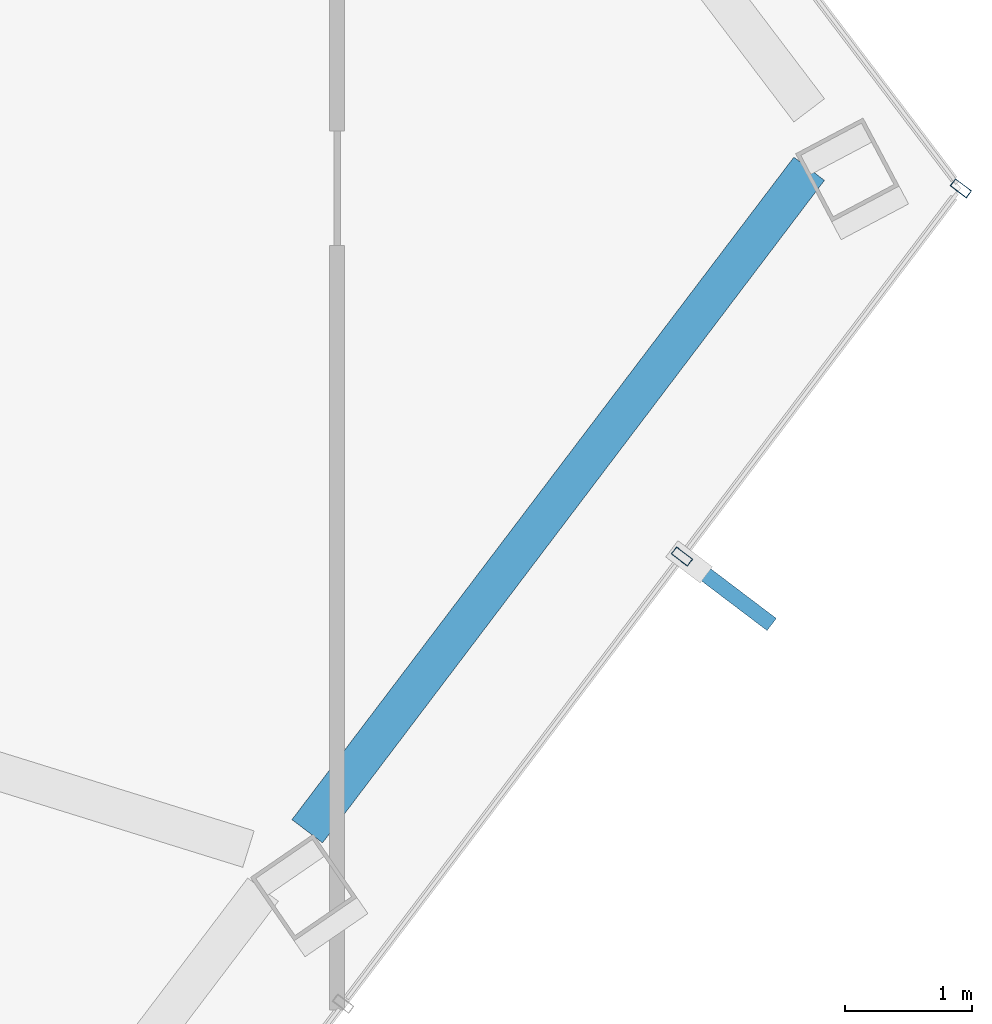
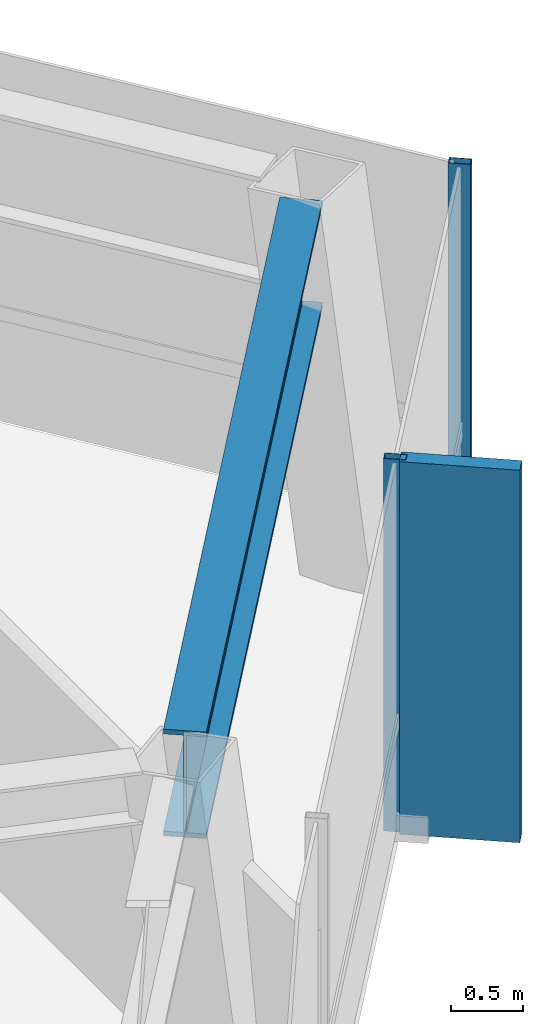
# One storey, part 20 of 27: 3 members, 1 beam, 1 element without a shape of its own.
"""IFC4 building model written with IfcOpenShell, lengths in metres."""

from ifc_helpers import new_model, si_unit, direction, frame, origin, origin_2d, place, context, subcontext, project, spatial, rectangle, hollow_rectangle, i_section, extrude, material, layer, layer_set, material_profile, profile_set, type_object, element, aggregate, save


model = new_model("IFC4")

# Units and contexts
model_context = context("Model", 3, precision=1e-05, world=origin(), true_north=direction((0.0, 1.0)))
body_context = subcontext(model_context, "Body", "Model", "MODEL_VIEW")
ifc_project = project(units=[si_unit("LENGTHUNIT", "METRE"), si_unit("AREAUNIT", "SQUARE_METRE"), si_unit("VOLUMEUNIT", "CUBIC_METRE"), si_unit("PLANEANGLEUNIT", "RADIAN"), si_unit("MASSUNIT", "GRAM", prefix="KILO")], contexts=[model_context])

# Site, building, storey
site_placement = place(None, origin())
site = spatial("IfcSite", under=ifc_project, at=site_placement, CompositionType="ELEMENT")
building_placement = place(site_placement, origin())
building = spatial("IfcBuilding", under=site, at=building_placement, Name="Zarrinselat Tower", CompositionType="ELEMENT")
storey_placement = place(building_placement, frame((0.0, 0.0, 225.760009765625)))
storey = spatial("IfcBuildingStorey", under=building, at=storey_placement, Name="L56", CompositionType="ELEMENT", Elevation=225.760009765625)

# Beam
ifc_material_1 = material(Name="Steel S460M", Category="steel")
ifc_material_profile_1 = material_profile(ifc_material_1, i_section(OverallWidth=0.302001953125, OverallDepth=0.909912109375, WebThickness=0.02099609375, FlangeThickness=0.0400390625, at=origin_2d()), Name="HEM 900")
ifc_profile_set_1 = profile_set([ifc_material_profile_1], Name="Steel S460M")
beam_type = type_object("IfcBeamType", Name="BM-HEM900", PredefinedType="BEAM", material=ifc_profile_set_1)
beam_placement = place(storey_placement, frame((56.91552734375, 36.221435546875, 2.72509765625), z_axis=(0.603889329004, 0.797068176704, 0.0), x_axis=(-0.797068176704, 0.603889329004, 0.0)))
element("IfcBeam", 1, at=beam_placement, inside=storey, type_object=beam_type, Name="L56 Perimeter Spandrel Girder SP14", PredefinedType="BEAM", context=body_context, shape_type="SweptSolid", body=[
    extrude(i_section(OverallWidth=0.302001953125, OverallDepth=0.909912109375, WebThickness=0.02099609375, FlangeThickness=0.0400390625, at=origin_2d()), origin(), (0.0, 0.0, 1.0), 6.536376953125),
])

# Curtain wall, members
ifc_material_2 = material(Name="Extruded Aluminium Alloy EN AW-6063 T6", Category="aluminium")
ifc_layer = layer(ifc_material_2, 0.169921875)
ifc_layer_set = layer_set([ifc_layer], Name="Extruded Aluminium Alloy EN AW-6063 T6")
curtain_wall_type = type_object("IfcCurtainWallType", Name="CWS-RES", PredefinedType="NOTDEFINED", material=ifc_layer_set)
curtain_wall_placement = place(storey_placement, origin())
curtain_wall = element("IfcCurtainWall", 2, at=curtain_wall_placement, inside=storey, type_object=curtain_wall_type, Name="L56 Unitised Curtain Wall CW-L56-E05", PredefinedType="NOTDEFINED")
ifc_material_3 = material(Name="Extruded Aluminium Alloy EN AW-6063 T6", Category="aluminium")
ifc_material_profile_2 = material_profile(ifc_material_3, hollow_rectangle(XDim=0.070068359375, YDim=0.159912109375, WallThickness=0.00390625, at=origin_2d()), Name="RHS 160x70x4")
ifc_profile_set_2 = profile_set([ifc_material_profile_2], Name="Extruded Aluminium Alloy EN AW-6063 T6")
member_type_1 = type_object("IfcMemberType", Name="MEM-CW-MUL2", PredefinedType="MULLION", material=ifc_profile_set_2)
member_1_placement = place(storey_placement, frame((59.862548828125, 38.3818359375, 0.0), z_axis=(0.0, 0.0, 1.0), x_axis=(0.603859212041, 0.797090993572, 0.0)))
member_1 = element("IfcMember", 3, at=member_1_placement, type_object=member_type_1, Name="CW-L56-E05 Mullion 7", PredefinedType="MULLION", context=body_context, shape_type="SweptSolid", body=[
    extrude(hollow_rectangle(XDim=0.070068359375, YDim=0.159912109375, WallThickness=0.00390625, at=origin_2d()), origin(), (0.0, 0.0, 1.0), 3.179931640625),
])
member_2_placement = place(storey_placement, frame((62.055908203125, 41.27685546875, 0.0), z_axis=(0.0, 0.0, 1.0), x_axis=(0.603859212041, 0.797090993572, 0.0)))
member_2 = element("IfcMember", 4, at=member_2_placement, type_object=member_type_1, Name="CW-L56-E05 Mullion 8", PredefinedType="MULLION", context=body_context, shape_type="SweptSolid", body=[
    extrude(hollow_rectangle(XDim=0.070068359375, YDim=0.159912109375, WallThickness=0.00390625, at=origin_2d()), origin(), (0.0, 0.0, 1.0), 3.179931640625),
])
ifc_material_4 = material(Name="Honed Cream Travertine Stone", Category="masonry")
ifc_material_profile_3 = material_profile(ifc_material_4, rectangle(XDim=0.1201171875, YDim=0.85009765625, at=origin_2d()), Name="FIN 850x120")
ifc_profile_set_3 = profile_set([ifc_material_profile_3], Name="Honed Cream Travertine Stone")
member_type_2 = type_object("IfcMemberType", Name="MEM-STONE-FIN", PredefinedType="USERDEFINED", material=ifc_profile_set_3)
member_3_placement = place(storey_placement, frame((60.229248046875, 38.10400390625, 0.0), z_axis=(0.0, 0.0, 1.0), x_axis=(-0.603859212041, -0.797090993572, 0.0)))
member_3 = element("IfcMember", 5, at=member_3_placement, type_object=member_type_2, Name="L56 Stone Shading Fin CW-L56-E05-07", ObjectType="FIN", PredefinedType="USERDEFINED", context=body_context, shape_type="SweptSolid", body=[
    extrude(rectangle(XDim=0.1201171875, YDim=0.85009765625, at=origin_2d()), origin(), (0.0, 0.0, 1.0), 3.179931640625),
])
aggregate(curtain_wall, [member_1, member_3, member_2])

save(model, "model.ifc")
